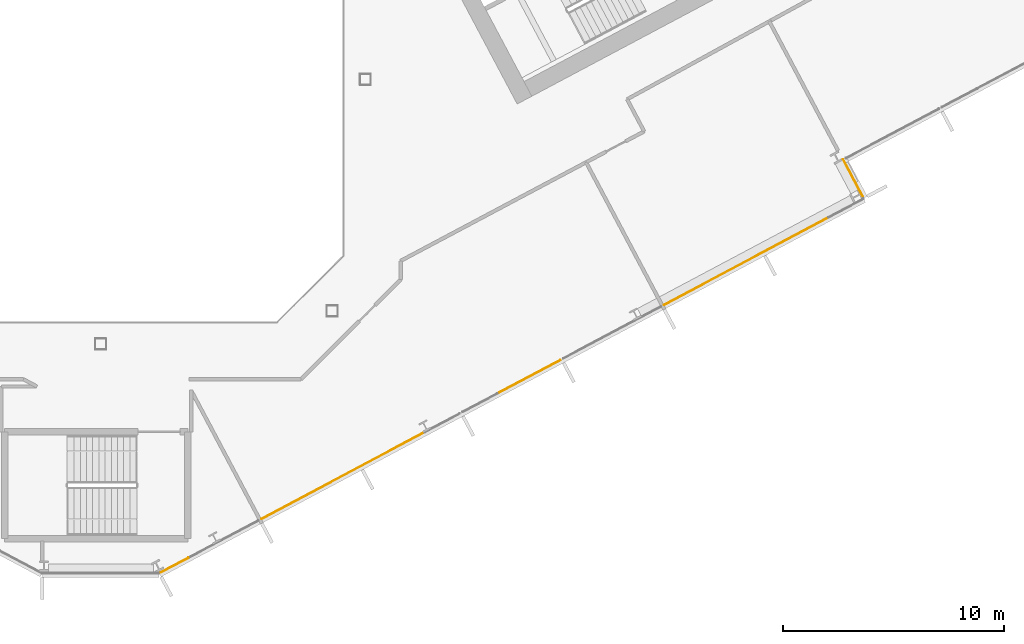
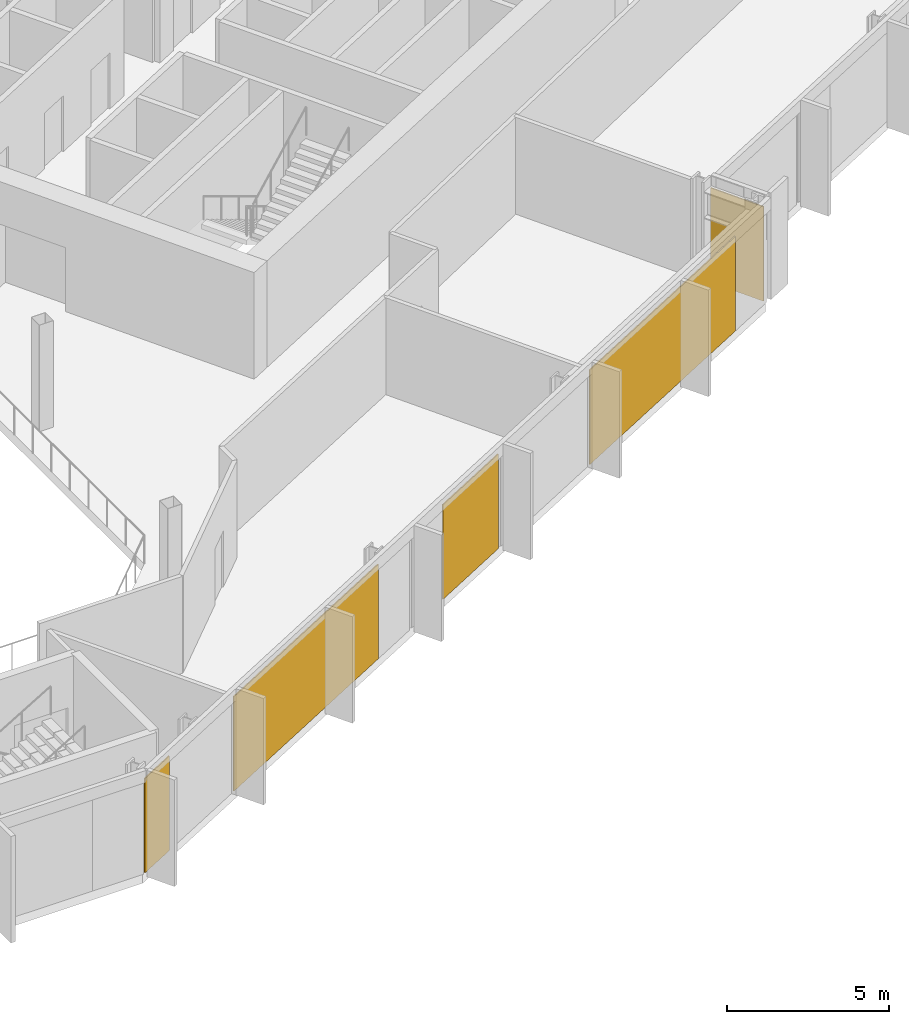
# One storey, part 24 of 28: 5 coverings, 2 elements without a shape of their own.
"""IFC4 building model written with IfcOpenShell, lengths in metres."""

from ifc_helpers import new_model, si_unit, direction, frame, origin, origin_2d, place, context, subcontext, project, spatial, rectangle, extrude, material, layer, layer_set, type_object, element, aggregate, save


model = new_model("IFC4")

# Units and contexts
model_context = context("Model", 3, precision=1e-05, world=origin(), true_north=direction((0.0, 1.0)))
body_context = subcontext(model_context, "Body", "Model", "MODEL_VIEW")
ifc_project = project(units=[si_unit("LENGTHUNIT", "METRE"), si_unit("AREAUNIT", "SQUARE_METRE"), si_unit("VOLUMEUNIT", "CUBIC_METRE"), si_unit("PLANEANGLEUNIT", "RADIAN"), si_unit("MASSUNIT", "GRAM", prefix="KILO")], contexts=[model_context])

# Site, building, storey
site_placement = place(None, origin())
site = spatial("IfcSite", under=ifc_project, at=site_placement, CompositionType="ELEMENT")
building_placement = place(site_placement, origin())
building = spatial("IfcBuilding", under=site, at=building_placement, Name="Cormorant Relay Tower", CompositionType="ELEMENT")
storey_placement = place(building_placement, frame((0.0, 0.0, 166.199951171875)))
storey = spatial("IfcBuildingStorey", under=building, at=storey_placement, Name="L35", CompositionType="ELEMENT", Elevation=166.199951171875)

# Curtain wall, coverings
ifc_material_1 = material(Name="Aluminium 6063-T6 anodised bronze", Category="aluminium")
ifc_layer_1 = layer(ifc_material_1, 0.199951171875)
ifc_layer_set_1 = layer_set([ifc_layer_1], Name="CW1 unitised bronze curtain wall with vertical fins")
curtain_wall_type = type_object("IfcCurtainWallType", Name="CW1 unitised bronze curtain wall with vertical fins", PredefinedType="NOTDEFINED", material=ifc_layer_set_1)
curtain_wall_1_placement = place(storey_placement, origin())
curtain_wall_1 = element("IfcCurtainWall", 1, at=curtain_wall_1_placement, inside=storey, type_object=curtain_wall_type, Name="CW1 curtain wall 2", PredefinedType="NOTDEFINED")
ifc_material_2 = material(Name="Pale bronze anodised aluminium insulated panel", Category="aluminium")
ifc_layer_2 = layer(ifc_material_2, 0.0400390625)
ifc_layer_set_2 = layer_set([ifc_layer_2], Name="CW1 pale bronze insulated panel 40")
covering_type = type_object("IfcCoveringType", Name="CW1 pale bronze insulated panel 40", PredefinedType="CLADDING", material=ifc_layer_set_2)
covering_1_placement = place(storey_placement, frame((3.349853515625, -22.025390625, 0.0), z_axis=(0.0, 0.0, 1.0), x_axis=(0.882947592859, 0.469471562786, 0.0)))
covering_1 = element("IfcCovering", 2, at=covering_1_placement, type_object=covering_type, Name="CW1 panel S00", PredefinedType="CLADDING", context=body_context, shape_type="SweptSolid", body=[
    extrude(rectangle(XDim=1.41650390625, YDim=0.0400390625, at=origin_2d()), origin(), (0.0, 0.0, 1.0), 3.550048828125),
])
covering_2_placement = place(storey_placement, frame((10.9873046875, -17.964599609375, 0.0), z_axis=(0.0, 0.0, 1.0), x_axis=(0.882947592859, 0.469471562786, 0.0)))
covering_2 = element("IfcCovering", 3, at=covering_2_placement, type_object=covering_type, Name="CW1 panel S02", PredefinedType="CLADDING", context=body_context, shape_type="SweptSolid", body=[
    extrude(rectangle(XDim=8.383056640625, YDim=0.0400390625, at=origin_2d()), origin(), (0.0, 0.0, 1.0), 3.550048828125),
])
covering_3_placement = place(storey_placement, frame((19.419189453125, -13.481201171875, 0.0), z_axis=(0.0, 0.0, 1.0), x_axis=(0.882947592859, 0.469471562786, 0.0)))
covering_3 = element("IfcCovering", 4, at=covering_3_placement, type_object=covering_type, Name="CW1 panel S05", PredefinedType="CLADDING", context=body_context, shape_type="SweptSolid", body=[
    extrude(rectangle(XDim=3.216552734375, YDim=0.0400390625, at=origin_2d()), origin(), (0.0, 0.0, 1.0), 3.550048828125),
])
covering_4_placement = place(storey_placement, frame((29.267578125, -8.244873046875, 0.0), z_axis=(0.0, 0.0, 1.0), x_axis=(0.882947592859, 0.469471562786, 0.0)))
covering_4 = element("IfcCovering", 5, at=covering_4_placement, type_object=covering_type, Name="CW1 panel S07", PredefinedType="CLADDING", context=body_context, shape_type="SweptSolid", body=[
    extrude(rectangle(XDim=8.4580078125, YDim=0.0400390625, at=origin_2d()), origin(), (0.0, 0.0, 1.0), 3.550048828125),
])
aggregate(curtain_wall_1, [covering_1, covering_2, covering_3, covering_4])

# Curtain wall, covering
curtain_wall_2_placement = place(storey_placement, origin())
curtain_wall_2 = element("IfcCurtainWall", 6, at=curtain_wall_2_placement, inside=storey, type_object=curtain_wall_type, Name="CW1 curtain wall 3", PredefinedType="NOTDEFINED")
covering_5_placement = place(storey_placement, frame((34.112060546875, -4.47119140625, 0.0), z_axis=(0.0, 0.0, 1.0), x_axis=(-0.469471562786, 0.882947592859, 0.0)))
covering_5 = element("IfcCovering", 7, at=covering_5_placement, type_object=covering_type, Name="CW1 panel S00", PredefinedType="CLADDING", context=body_context, shape_type="SweptSolid", body=[
    extrude(rectangle(XDim=1.925048828125, YDim=0.0400390625, at=origin_2d()), origin(), (0.0, 0.0, 1.0), 3.550048828125),
])
aggregate(curtain_wall_2, [covering_5])

save(model, "model.ifc")
